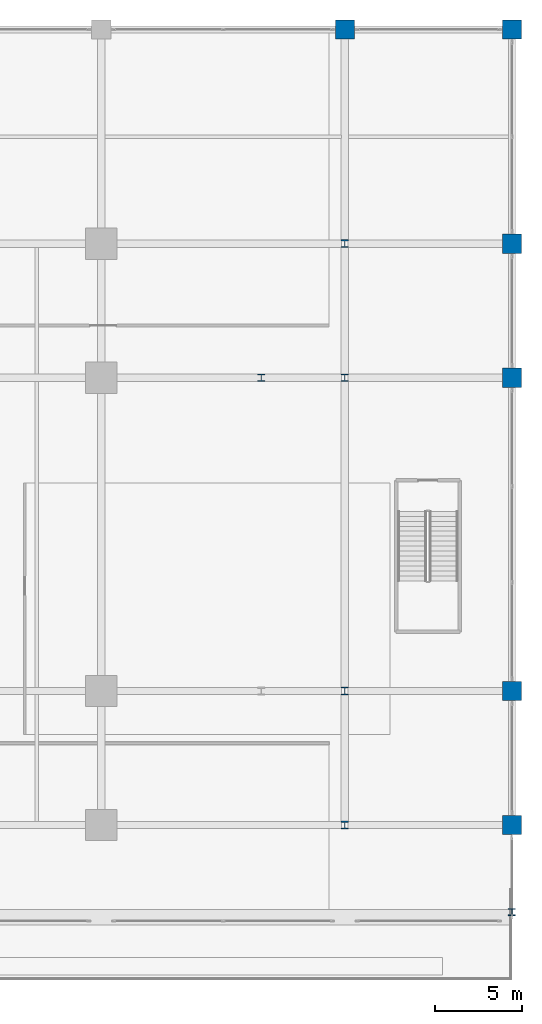
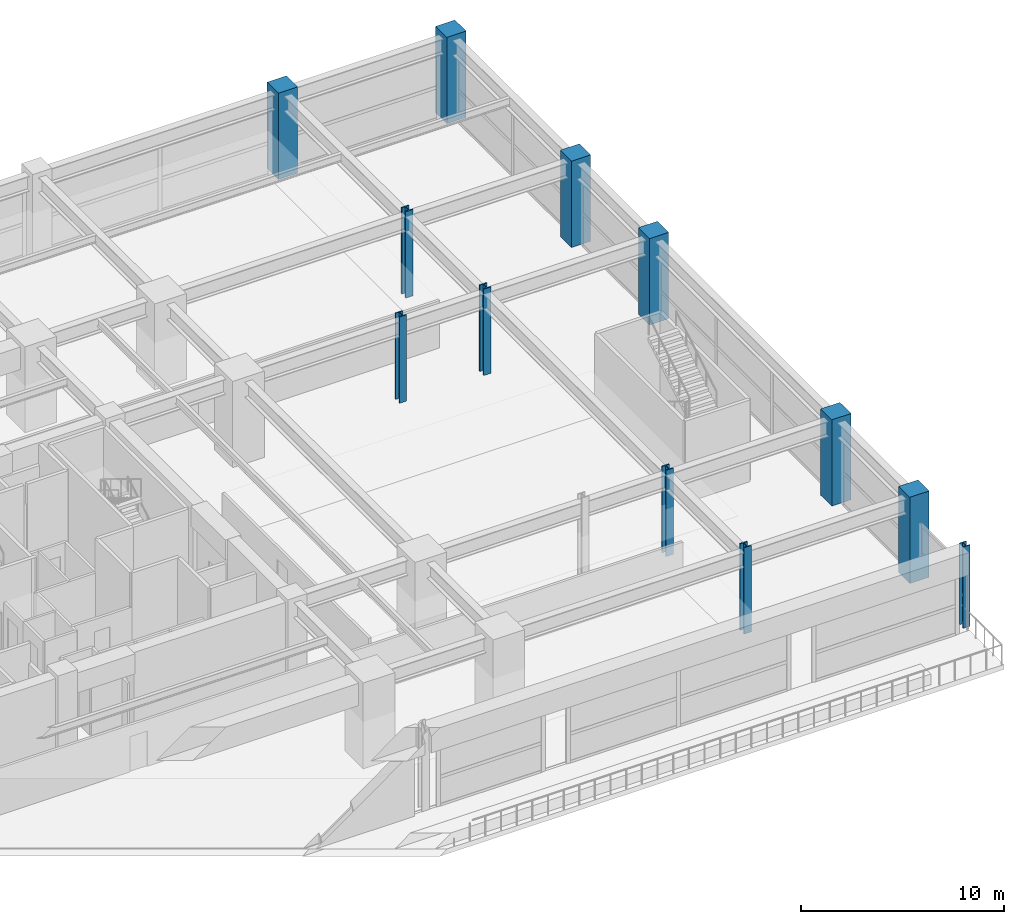
# One storey, part 3 of 43: 12 columns.
"""IFC4 building model written with IfcOpenShell, lengths in metres."""

from ifc_helpers import new_model, si_unit, direction, frame, origin, origin_2d, place, context, subcontext, project, spatial, rectangle, i_section, extrude, material, material_profile, profile_set, type_object, element, save


model = new_model("IFC4")

# Units and contexts
model_context = context("Model", 3, precision=1e-05, world=origin(), true_north=direction((0.0, 1.0)))
body_context = subcontext(model_context, "Body", "Model", "MODEL_VIEW")
ifc_project = project(units=[si_unit("LENGTHUNIT", "METRE"), si_unit("AREAUNIT", "SQUARE_METRE"), si_unit("VOLUMEUNIT", "CUBIC_METRE"), si_unit("PLANEANGLEUNIT", "RADIAN"), si_unit("MASSUNIT", "GRAM", prefix="KILO")], contexts=[model_context])

# Site, building, storey
site_placement = place(None, origin())
site = spatial("IfcSite", under=ifc_project, at=site_placement, CompositionType="ELEMENT")
building_placement = place(site_placement, origin())
building = spatial("IfcBuilding", under=site, at=building_placement, Name="Kovane Verandah Tower", CompositionType="ELEMENT")
storey_placement = place(building_placement, frame((0.0, 0.0, 11.199951171875)))
storey = spatial("IfcBuildingStorey", under=building, at=storey_placement, Name="L02", CompositionType="ELEMENT", Elevation=11.199951171875)

# Columns
ifc_material_1 = material(Name="Concrete C60/75", Category="concrete")
ifc_material_profile_1 = material_profile(ifc_material_1, rectangle(XDim=1.10009765625, YDim=1.10009765625, at=origin_2d()), Name="RC1100x1100")
ifc_profile_set_1 = profile_set([ifc_material_profile_1], Name="Concrete C60/75")
column_type_1 = type_object("IfcColumnType", Name="COL-POD1100", PredefinedType="COLUMN", material=ifc_profile_set_1)
for number, where, z_axis, x_axis, name in (
    (1, (82.0, 10.800048828125, 0.0), (0.0, 0.0, 1.0), (1.0, 0.0, 0.0), "L02 Podium Column PC-E1"),
    (2, (82.0, 18.5, 0.0), (0.0, 0.0, 1.0), (1.0, 0.0, 0.0), "L02 Podium Column PC-E2"),
    (3, (82.0, 36.5, 0.0), (0.0, 0.0, 1.0), (1.0, 0.0, 0.0), "L02 Podium Column PC-E3"),
    (4, (82.0, 44.199951171875, 0.0), (0.0, 0.0, 1.0), (1.0, 0.0, 0.0), "L02 Podium Column PC-E4"),
    (5, (82.0, 56.5, 0.0), (0.0, 0.0, 1.0), (1.0, 0.0, 0.0), "L02 Podium Column PC-E5"),
    (6, (72.39990234375, 56.5, 0.0), (0.0, 0.0, 1.0), (1.0, 0.0, 0.0), "L02 Podium Column PC-N6"),
):
    element("IfcColumn", number, at=place(storey_placement, frame(where, z_axis=z_axis, x_axis=x_axis)), inside=storey, type_object=column_type_1, Name=name, PredefinedType="COLUMN", context=body_context, shape_type="SweptSolid", body=[
        extrude(rectangle(XDim=1.10009765625, YDim=1.10009765625, at=origin_2d()), origin(), (0.0, 0.0, 1.0), 5.199951171875),
    ])
ifc_material_2 = material(Name="Steel S460", Category="steel")
ifc_material_profile_2 = material_profile(ifc_material_2, i_section(OverallWidth=0.403076171875, OverallDepth=0.406494140625, WebThickness=0.026611328125, FlangeThickness=0.04296875, FilletRadius=0.01513671875, at=origin_2d()), Name="UC356x406x340")
ifc_profile_set_2 = profile_set([ifc_material_profile_2], Name="Steel S460")
column_type_2 = type_object("IfcColumnType", Name="COL-UC340", PredefinedType="COLUMN", material=ifc_profile_set_2)
column_1_placement = place(storey_placement, frame((82.0, 5.800048828125, 0.0), z_axis=(0.0, 0.0, 1.0), x_axis=(1.0, 0.0, 0.0)))
element("IfcColumn", 7, at=column_1_placement, inside=storey, type_object=column_type_2, Name="L02 South Terrace Step Column S2-2", PredefinedType="COLUMN", context=body_context, shape_type="SweptSolid", body=[
    extrude(i_section(OverallWidth=0.403076171875, OverallDepth=0.406494140625, WebThickness=0.026611328125, FlangeThickness=0.04296875, FilletRadius=0.01513671875, at=origin_2d()), origin(), (0.0, 0.0, 1.0), 4.900146484375),
])
ifc_material_profile_3 = material_profile(ifc_material_2, i_section(OverallWidth=0.412109375, OverallDepth=0.4365234375, WebThickness=0.035888671875, FlangeThickness=0.05810546875, FilletRadius=0.01513671875, at=origin_2d()), Name="UC356x406x467")
ifc_profile_set_3 = profile_set([ifc_material_profile_3], Name="Steel S460")
column_type_3 = type_object("IfcColumnType", Name="COL-UC467", PredefinedType="COLUMN", material=ifc_profile_set_3)
column_2_placement = place(storey_placement, frame((67.60009765625, 36.5, 0.0), z_axis=(0.0, 0.0, 1.0), x_axis=(1.0, 0.0, 0.0)))
element("IfcColumn", 8, at=column_2_placement, inside=storey, type_object=column_type_3, Name="L02 Verandah Perimeter Column VC-E2", PredefinedType="COLUMN", context=body_context, shape_type="SweptSolid", body=[
    extrude(i_section(OverallWidth=0.412109375, OverallDepth=0.4365234375, WebThickness=0.035888671875, FlangeThickness=0.05810546875, FilletRadius=0.01513671875, at=origin_2d()), origin(), (0.0, 0.0, 1.0), 5.199951171875),
])
ifc_material_3 = material(Name="Steel S355", Category="steel")
ifc_material_profile_4 = material_profile(ifc_material_3, i_section(OverallWidth=0.41845703125, OverallDepth=0.45556640625, WebThickness=0.0419921875, FlangeThickness=0.0673828125, FilletRadius=0.01513671875, at=origin_2d()), Name="UC356x406x551")
ifc_profile_set_4 = profile_set([ifc_material_profile_4], Name="Steel S355")
column_type_4 = type_object("IfcColumnType", Name="COL-UC551", PredefinedType="COLUMN", material=ifc_profile_set_4)
for number, where, z_axis, x_axis, name in (
    (9, (72.39990234375, 10.800048828125, 0.0), (0.0, 0.0, 1.0), (1.0, 0.0, 0.0), "L02 Podium Column PC-ME1"),
    (10, (72.39990234375, 18.5, 0.0), (0.0, 0.0, 1.0), (1.0, 0.0, 0.0), "L02 Podium Column PC-ME2"),
    (11, (72.39990234375, 36.5, 0.0), (0.0, 0.0, 1.0), (1.0, 0.0, 0.0), "L02 Podium Column PC-ME3"),
    (12, (72.39990234375, 44.199951171875, 0.0), (0.0, 0.0, 1.0), (1.0, 0.0, 0.0), "L02 Podium Column PC-ME4"),
):
    element("IfcColumn", number, at=place(storey_placement, frame(where, z_axis=z_axis, x_axis=x_axis)), inside=storey, type_object=column_type_4, Name=name, PredefinedType="COLUMN", context=body_context, shape_type="SweptSolid", body=[
        extrude(i_section(OverallWidth=0.41845703125, OverallDepth=0.45556640625, WebThickness=0.0419921875, FlangeThickness=0.0673828125, FilletRadius=0.01513671875, at=origin_2d()), origin(), (0.0, 0.0, 1.0), 5.199951171875),
    ])

save(model, "model.ifc")
